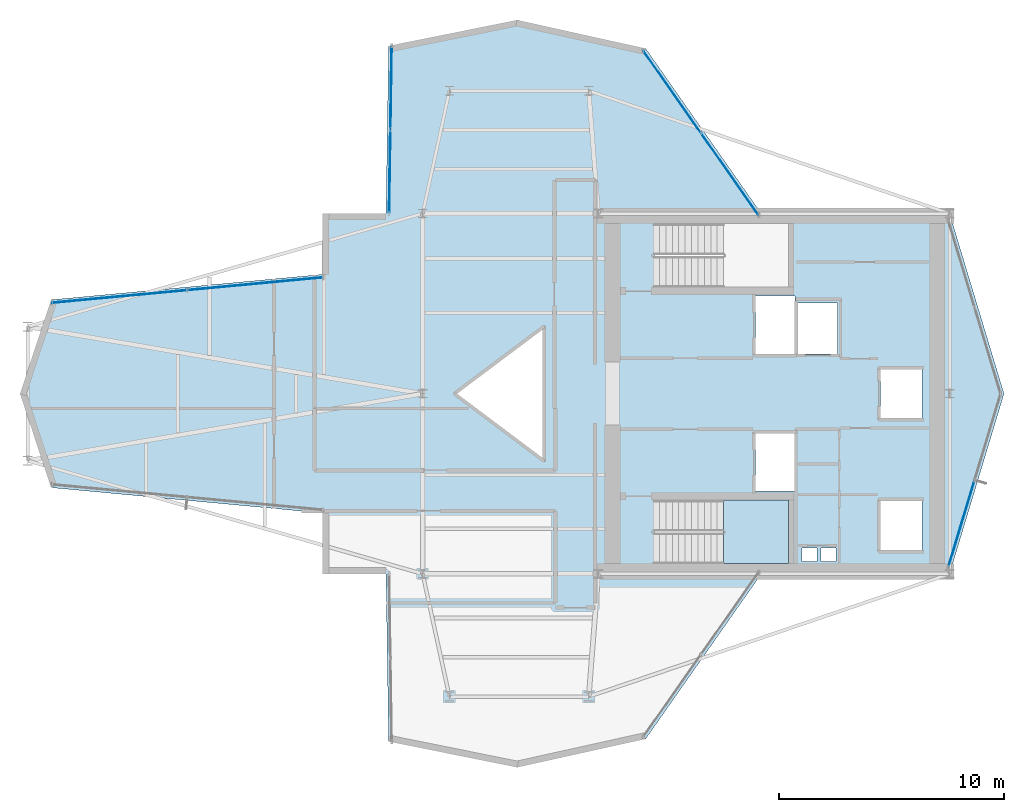
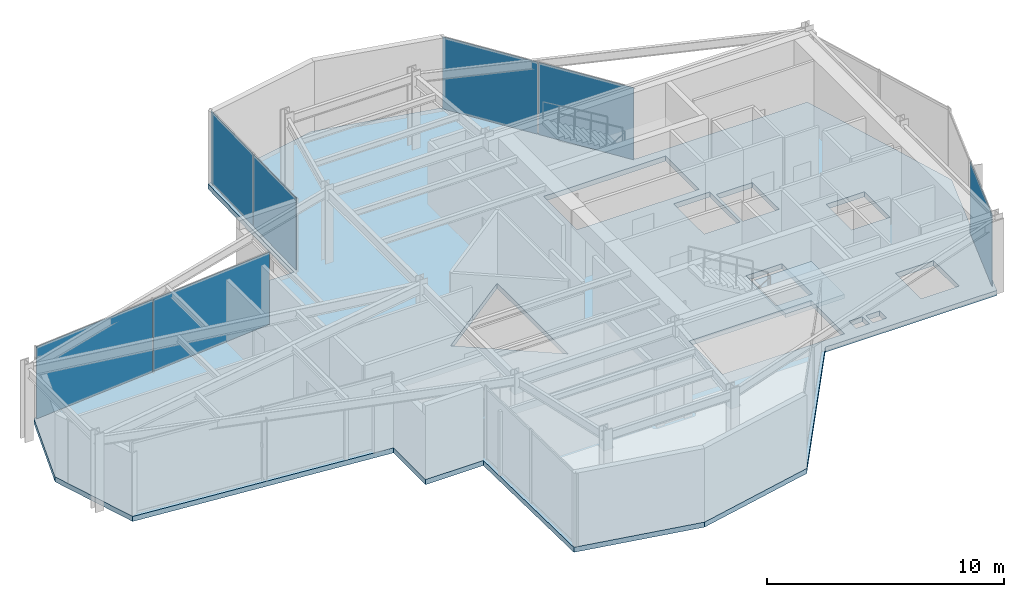
# One storey, part 19 of 24: 7 plates, 2 slabs, 5 elements without a shape of their own.
"""IFC4 building model written with IfcOpenShell, lengths in metres."""

import ifcopenshell
import ifcopenshell.guid

model = None  # the IFC model being written
_history = None  # IfcOwnerHistory: only IFC2X3 demands one
_inside = {}  # id of a spatial element -> (the spatial element, [elements in it])
_under = {}  # id of a project, library or spatial element -> (it, [spatial elements below it])
_declared = {}  # id of a project -> (the project, [libraries it declares])
_typed = {}  # id of a type object -> (the type object, [elements of that type])
_made_of = {}  # id of a material, layer set ... -> (it, [elements and type objects made of it])


def new_model(schema):
    """Start an empty IFC model of exactly this schema.

    Asked for "IFC4X3", IfcOpenShell would pick the latest addendum, in which some entities
    have other attributes; the version numbers below select the first issue.
    IFC2X3 requires an IfcOwnerHistory on every rooted entity: one is made here for all.
    """
    global model, _history
    if schema == "IFC4X3":
        model = ifcopenshell.file(schema_version=(4, 3, 0, 0))
    else:
        model = ifcopenshell.file(schema=schema)
    _inside.clear()
    _under.clear()
    _declared.clear()
    _typed.clear()
    _made_of.clear()
    _history = None
    if model.schema == "IFC2X3":
        org = make("IfcOrganization", Name="unknown")
        user = make(
            "IfcPersonAndOrganization",
            ThePerson=make("IfcPerson", FamilyName="unknown"),
            TheOrganization=org,
        )
        app = make(
            "IfcApplication",
            ApplicationDeveloper=org,
            Version="unknown",
            ApplicationFullName="unknown",
            ApplicationIdentifier="unknown",
        )
        _history = make(
            "IfcOwnerHistory",
            OwningUser=user,
            OwningApplication=app,
            ChangeAction="ADDED",
            CreationDate=0,
        )
    return model


def make(cls, **values):
    """One entity of the class cls with the attributes given. An attribute that is None is left unset."""
    return model.create_entity(
        cls, **{name: value for name, value in values.items() if value is not None}
    )


def rooted(cls, **values):
    """An entity with a GlobalId (a new one), such as an element, a storey or a relation."""
    return make(cls, GlobalId=ifcopenshell.guid.new(), OwnerHistory=_history, **values)


def si_unit(unit_type, name, prefix=None):
    """IfcSIUnit, for example si_unit("LENGTHUNIT", "METRE", prefix="MILLI")."""
    return make("IfcSIUnit", UnitType=unit_type, Prefix=prefix, Name=name)


def assignment(units):
    """IfcUnitAssignment: the units of a project."""
    return None if units is None else make("IfcUnitAssignment", Units=units)


def point(xyz):
    """IfcCartesianPoint."""
    return None if xyz is None else make("IfcCartesianPoint", Coordinates=xyz)


def direction(xyz):
    """IfcDirection."""
    return None if xyz is None else make("IfcDirection", DirectionRatios=xyz)


def frame(location, z_axis=None, x_axis=None):
    """IfcAxis2Placement3D, a coordinate frame: its origin and axes. An axis left out is left unset."""
    return make(
        "IfcAxis2Placement3D",
        Location=point(location),
        Axis=direction(z_axis),
        RefDirection=direction(x_axis),
    )


def frame_2d(location, x_axis=None):
    """IfcAxis2Placement2D, a coordinate frame in the plane: its origin and x axis."""
    return make(
        "IfcAxis2Placement2D", Location=point(location), RefDirection=direction(x_axis)
    )


def origin():
    """The frame at (0, 0, 0) with its axes left unset."""
    return frame((0.0, 0.0, 0.0))


def origin_2d():
    """The frame at (0, 0) in the plane with its x axis left unset."""
    return frame_2d((0.0, 0.0))


def place(relative_to, where):
    """IfcLocalPlacement: puts the frame where relative to a parent placement (None: the world)."""
    return make(
        "IfcLocalPlacement", PlacementRelTo=relative_to, RelativePlacement=where
    )


def context(
    kind, dimensions, precision=None, world=None, true_north=None, identifier=None
):
    """IfcGeometricRepresentationContext, for example the 3D "Model" context."""
    return make(
        "IfcGeometricRepresentationContext",
        ContextIdentifier=identifier,
        ContextType=kind,
        CoordinateSpaceDimension=dimensions,
        Precision=precision,
        WorldCoordinateSystem=world,
        TrueNorth=true_north,
    )


def subcontext(parent, identifier, kind, view, scale=None):
    """IfcGeometricRepresentationSubContext, for example "Body" below "Model"."""
    return make(
        "IfcGeometricRepresentationSubContext",
        ContextIdentifier=identifier,
        ContextType=kind,
        ParentContext=parent,
        TargetScale=scale,
        TargetView=view,
    )


def project(units=None, contexts=None):
    """IfcProject with its units and contexts."""
    return rooted(
        "IfcProject",
        Name="project",
        RepresentationContexts=contexts,
        UnitsInContext=assignment(units),
    )


def spatial(cls, under=None, at=None, **own):
    """A site, building, storey or space (cls), placed at a placement, below another one or the project."""
    s = rooted(cls, ObjectPlacement=at, **own)
    if under is not None:
        _under.setdefault(under.id(), (under, []))[1].append(s)
    return s


def polyline(points):
    """IfcPolyline through the points."""
    return make("IfcPolyline", Points=[point(p) for p in points])


def profile(cls, at=None, kind="AREA", **sizes):
    """A parametric profile (cls). Its sizes go by their IFC names, for example OverallWidth=200.0."""
    return make(cls, ProfileType=kind, Position=at, **sizes)


def rectangle(**sizes):
    """IfcRectangleProfileDef."""
    return profile("IfcRectangleProfileDef", **sizes)


def outline(outer, holes=None, kind="AREA"):
    """IfcArbitraryClosedProfileDef: a profile drawn as a closed curve; with holes, ...WithVoids."""
    if holes is None:
        return make("IfcArbitraryClosedProfileDef", ProfileType=kind, OuterCurve=outer)
    return make(
        "IfcArbitraryProfileDefWithVoids",
        ProfileType=kind,
        OuterCurve=outer,
        InnerCurves=holes,
    )


def extrude(swept, where, along, depth):
    """IfcExtrudedAreaSolid: the profile swept, set in the frame where, extruded along a direction by depth."""
    return make(
        "IfcExtrudedAreaSolid",
        SweptArea=swept,
        Position=where,
        ExtrudedDirection=direction(along),
        Depth=depth,
    )


def shape(context_of_items, identifier, shape_type, items):
    """IfcShapeRepresentation: the items that make up one representation, for example the "Body"."""
    return make(
        "IfcShapeRepresentation",
        ContextOfItems=context_of_items,
        RepresentationIdentifier=identifier,
        RepresentationType=shape_type,
        Items=items,
    )


def material(Name=None, Category=None):
    """IfcMaterial."""
    return make("IfcMaterial", Name=Name, Category=Category)


def layer(
    of_material, thickness, ventilated=None, Name=None, Category=None, Priority=None
):
    """IfcMaterialLayer: one layer of a wall or slab, of a material (None: an air gap)."""
    return make(
        "IfcMaterialLayer",
        Material=of_material,
        LayerThickness=thickness,
        IsVentilated=ventilated,
        Name=Name,
        Category=Category,
        Priority=Priority,
    )


def layer_set(layers, Name=None):
    """IfcMaterialLayerSet."""
    return make("IfcMaterialLayerSet", MaterialLayers=layers, LayerSetName=Name)


def made_of(thing, what):
    """Note that an element or type object is made of a material, layer set ...; save() writes the relation."""
    if what is not None:
        _made_of.setdefault(what.id(), (what, []))[1].append(thing)
    return thing


def type_object(cls, material=None, **own):
    """A type object (cls), such as IfcWallType, which elements share."""
    return made_of(rooted(cls, **own), material)


def element(
    cls,
    number,
    at=None,
    inside=None,
    cuts=None,
    type_object=None,
    material=None,
    context=None,
    identifier="Body",
    shape_type=None,
    held_by="IfcProductDefinitionShape",
    body=None,
    shapes=None,
    **own,
):
    """One element of the class cls, such as IfcWall. Its Tag is "e" and its number.

    at: its placement. inside: the storey or other place that contains it. cuts: it is an
    opening in that element (IfcRelVoidsElement). A single representation is given by context,
    identifier, shape_type and body (its items); several are given by shapes. held_by: the class
    of the entity that holds the representations. save() writes the other relations.
    """
    e = rooted(cls, Tag="e%d" % number, ObjectPlacement=at, **own)
    if body is not None:
        shapes = [shape(context, identifier, shape_type, body)]
    if shapes is not None:
        e.Representation = make(held_by, Representations=shapes)
    if inside is not None:
        _inside.setdefault(inside.id(), (inside, []))[1].append(e)
    if cuts is not None:
        rooted(
            "IfcRelVoidsElement", RelatingBuildingElement=cuts, RelatedOpeningElement=e
        )
    if type_object is not None:
        _typed.setdefault(type_object.id(), (type_object, []))[1].append(e)
    return made_of(e, material)


def aggregate(whole, parts):
    """IfcRelAggregates: a whole, such as a stair, and the parts it consists of."""
    return rooted("IfcRelAggregates", RelatingObject=whole, RelatedObjects=parts)


def save(model, path):
    """Write the relations noted so far, then the file.

    IfcRelAggregates (storeys below a building ...), IfcRelContainedInSpatialStructure (elements
    in a storey), IfcRelDefinesByType, IfcRelAssociatesMaterial and IfcRelDeclares: one each for
    every whole, place, type object, material and project.
    """
    for whole, parts in _under.values():
        aggregate(whole, parts)
    for where, things in _inside.values():
        rooted(
            "IfcRelContainedInSpatialStructure",
            RelatedElements=things,
            RelatingStructure=where,
        )
    for kind, things in _typed.values():
        rooted("IfcRelDefinesByType", RelatedObjects=things, RelatingType=kind)
    for what, things in _made_of.values():
        rooted("IfcRelAssociatesMaterial", RelatedObjects=things, RelatingMaterial=what)
    for by, libraries in _declared.values():
        rooted("IfcRelDeclares", RelatingContext=by, RelatedDefinitions=libraries)
    model.write(path)


model = new_model("IFC4")

# Units and contexts
model_context = context("Model", 3, precision=1e-05, world=origin(), true_north=direction((0.0, 1.0)))
body_context = subcontext(model_context, "Body", "Model", "MODEL_VIEW")
ifc_project = project(units=[si_unit("LENGTHUNIT", "METRE"), si_unit("AREAUNIT", "SQUARE_METRE"), si_unit("VOLUMEUNIT", "CUBIC_METRE"), si_unit("PLANEANGLEUNIT", "RADIAN"), si_unit("MASSUNIT", "GRAM", prefix="KILO")], contexts=[model_context])

# Site, building, storey
site_placement = place(None, origin())
site = spatial("IfcSite", under=ifc_project, at=site_placement, CompositionType="ELEMENT")
building_placement = place(site_placement, origin())
building = spatial("IfcBuilding", under=site, at=building_placement, Name="Veymaron Broadcast Tower", CompositionType="ELEMENT")
storey_placement = place(building_placement, frame((0.0, 0.0, 220.199951171875)))
storey = spatial("IfcBuildingStorey", under=building, at=storey_placement, Name="L51", CompositionType="ELEMENT", Elevation=220.199951171875)

# Curtain wall, plate
ifc_material_1 = material(Name="Anodised aluminium AA 6063-T6 and laminated low-E dark glass", Category="aluminium")
ifc_layer_1 = layer(ifc_material_1, 0.179931640625)
ifc_layer_set_1 = layer_set([ifc_layer_1], Name="Anodised aluminium AA 6063-T6 and laminated low-E dark glass")
curtain_wall_type = type_object("IfcCurtainWallType", Name="CW-SYS-05", PredefinedType="NOTDEFINED", material=ifc_layer_set_1)
curtain_wall_1_placement = place(storey_placement, origin())
curtain_wall_1 = element("IfcCurtainWall", 1, at=curtain_wall_1_placement, inside=storey, type_object=curtain_wall_type, Name="L51 dark-glass curtain wall CW-L51-E2-1", PredefinedType="NOTDEFINED")
ifc_material_2 = material(Name="Double-silver solar-control dark glass IGU 32 mm", Category="glass")
ifc_layer_2 = layer(ifc_material_2, 0.031982421875)
ifc_layer_set_2 = layer_set([ifc_layer_2], Name="Double-silver solar-control dark glass IGU 32 mm")
plate_type = type_object("IfcPlateType", Name="CW-PNL-02", PredefinedType="CURTAIN_PANEL", material=ifc_layer_set_2)
plate_1_placement = place(storey_placement, frame((55.125, 18.22314453125, 0.0400390625), z_axis=(0.0, 0.0, 1.0), x_axis=(0.288998380014, 0.957329586062, 0.0)))
plate_1 = element("IfcPlate", 2, at=plate_1_placement, type_object=plate_type, Name="CW-L51-E2-1 unitised curtain panel 0", PredefinedType="CURTAIN_PANEL", context=body_context, shape_type="SweptSolid", body=[
    extrude(rectangle(XDim=3.9912109375, YDim=0.031982421875, at=origin_2d()), origin(), (0.0, 0.0, 1.0), 3.7099609375),
])
aggregate(curtain_wall_1, [plate_1])

# Curtain wall, plates
curtain_wall_2_placement = place(storey_placement, origin())
curtain_wall_2 = element("IfcCurtainWall", 3, at=curtain_wall_2_placement, inside=storey, type_object=curtain_wall_type, Name="L51 dark-glass curtain wall CW-L51-E5-1", PredefinedType="NOTDEFINED")
plate_2_placement = place(storey_placement, frame((44.84033203125, 33.752197265625, 0.0400390625), z_axis=(0.0, 0.0, 1.0), x_axis=(-0.573905218834, 0.818921729957, 0.0)))
plate_2 = element("IfcPlate", 4, at=plate_2_placement, type_object=plate_type, Name="CW-L51-E5-1 unitised curtain panel 0", PredefinedType="CURTAIN_PANEL", context=body_context, shape_type="SweptSolid", body=[
    extrude(rectangle(XDim=4.415283203125, YDim=0.031982421875, at=origin_2d()), origin(), (0.0, 0.0, 1.0), 3.7099609375),
])
plate_3_placement = place(storey_placement, frame((42.27197265625, 37.417236328125, 0.0400390625), z_axis=(0.0, 0.0, 1.0), x_axis=(-0.573905218834, 0.818921729957, 0.0)))
plate_3 = element("IfcPlate", 5, at=plate_3_placement, type_object=plate_type, Name="CW-L51-E5-1 unitised curtain panel 1", PredefinedType="CURTAIN_PANEL", context=body_context, shape_type="SweptSolid", body=[
    extrude(rectangle(XDim=4.415283203125, YDim=0.031982421875, at=origin_2d()), origin(), (0.0, 0.0, 1.0), 3.7099609375),
])
aggregate(curtain_wall_2, [plate_2, plate_3])

curtain_wall_3_placement = place(storey_placement, origin())
curtain_wall_3 = element("IfcCurtainWall", 6, at=curtain_wall_3_placement, inside=storey, type_object=curtain_wall_type, Name="L51 dark-glass curtain wall CW-L51-E8-1", PredefinedType="NOTDEFINED")
plate_4_placement = place(storey_placement, frame((29.798828125, 37.58154296875, 0.0400390625), z_axis=(0.0, 0.0, 1.0), x_axis=(-0.015480452098, -0.999880170622, 0.0)))
plate_4 = element("IfcPlate", 7, at=plate_4_placement, type_object=plate_type, Name="CW-L51-E8-1 unitised curtain panel 0", PredefinedType="CURTAIN_PANEL", context=body_context, shape_type="SweptSolid", body=[
    extrude(rectangle(XDim=3.662841796875, YDim=0.031982421875, at=origin_2d()), origin(), (0.0, 0.0, 1.0), 3.7099609375),
])
plate_5_placement = place(storey_placement, frame((29.7412109375, 33.85888671875, 0.0400390625), z_axis=(0.0, 0.0, 1.0), x_axis=(-0.015480452098, -0.999880170622, 0.0)))
plate_5 = element("IfcPlate", 8, at=plate_5_placement, type_object=plate_type, Name="CW-L51-E8-1 unitised curtain panel 1", PredefinedType="CURTAIN_PANEL", context=body_context, shape_type="SweptSolid", body=[
    extrude(rectangle(XDim=3.662841796875, YDim=0.031982421875, at=origin_2d()), origin(), (0.0, 0.0, 1.0), 3.7099609375),
])
aggregate(curtain_wall_3, [plate_4, plate_5])

curtain_wall_4_placement = place(storey_placement, origin())
curtain_wall_4 = element("IfcCurtainWall", 9, at=curtain_wall_4_placement, inside=storey, type_object=curtain_wall_type, Name="L51 dark-glass curtain wall CW-L51-E11-1", PredefinedType="NOTDEFINED")
plate_6_placement = place(storey_placement, frame((23.758056640625, 28.878662109375, 0.0400390625), z_axis=(0.0, 0.0, 1.0), x_axis=(-0.995642083019, -0.093256863132, 0.0)))
plate_6 = element("IfcPlate", 10, at=plate_6_placement, type_object=plate_type, Name="CW-L51-E11-1 unitised curtain panel 0", PredefinedType="CURTAIN_PANEL", context=body_context, shape_type="SweptSolid", body=[
    extrude(rectangle(XDim=5.996337890625, YDim=0.031982421875, at=origin_2d()), origin(), (0.0, 0.0, 1.0), 3.7099609375),
])
plate_7_placement = place(storey_placement, frame((17.72802734375, 28.313720703125, 0.0400390625), z_axis=(0.0, 0.0, 1.0), x_axis=(-0.995642083019, -0.093256863132, 0.0)))
plate_7 = element("IfcPlate", 11, at=plate_7_placement, type_object=plate_type, Name="CW-L51-E11-1 unitised curtain panel 1", PredefinedType="CURTAIN_PANEL", context=body_context, shape_type="SweptSolid", body=[
    extrude(rectangle(XDim=5.996337890625, YDim=0.031982421875, at=origin_2d()), origin(), (0.0, 0.0, 1.0), 3.7099609375),
])
aggregate(curtain_wall_4, [plate_6, plate_7])

# Slab
ifc_material_3 = material(Name="Concrete C40/50", Category="concrete")
ifc_layer_3 = layer(ifc_material_3, 0.260009765625)
ifc_layer_set_3 = layer_set([ifc_layer_3], Name="Concrete C40/50")
slab_type_1 = type_object("IfcSlabType", Name="SLAB-FS5", PredefinedType="FLOOR", material=ifc_layer_set_3)
slab_1_placement = place(storey_placement, frame((0.0, 0.0, -0.260009765625)))
element("IfcSlab", 12, at=slab_1_placement, inside=storey, type_object=slab_type_1, Name="L51 structural floor slab", PredefinedType="FLOOR", context=body_context, shape_type="SweptSolid", body=[
    extrude(outline(polyline([(46.2392578125, 16.0), (54.60009765625, 16.0), (57.014892578125, 24.0), (54.60009765625, 32.0), (46.2392578125, 32.0), (41.102294921875, 39.330078125), (35.39501953125, 40.594970703125), (29.687744140625, 39.445068359375), (29.572509765625, 32.0), (26.760009765625, 32.0), (26.760009765625, 29.30029296875), (14.699951171875, 28.170654296875), (13.320068359375, 24.0), (14.699951171875, 19.829345703125), (26.760009765625, 18.69970703125), (26.760009765625, 16.0), (29.572509765625, 16.0), (29.687744140625, 8.554931640625), (35.39501953125, 7.405029296875), (41.102294921875, 8.669921875), (46.2392578125, 16.0)]), holes=[polyline([(45.969970703125, 28.330078125), (47.72998046875, 28.330078125), (47.72998046875, 25.77001953125), (45.969970703125, 25.77001953125), (45.969970703125, 28.330078125)]), polyline([(45.969970703125, 22.22998046875), (47.72998046875, 22.22998046875), (47.72998046875, 19.669921875), (45.969970703125, 19.669921875), (45.969970703125, 22.22998046875)]), polyline([(47.8701171875, 28.030029296875), (49.6298828125, 28.030029296875), (49.6298828125, 25.77001953125), (47.8701171875, 25.77001953125), (47.8701171875, 28.030029296875)]), polyline([(51.52001953125, 25.080078125), (53.3798828125, 25.080078125), (53.3798828125, 22.919921875), (51.52001953125, 22.919921875), (51.52001953125, 25.080078125)]), polyline([(51.52001953125, 19.22998046875), (53.3798828125, 19.22998046875), (53.3798828125, 17.070068359375), (51.52001953125, 17.070068359375), (51.52001953125, 19.22998046875)]), polyline([(48.050048828125, 17.159912109375), (48.719970703125, 17.159912109375), (48.719970703125, 16.56005859375), (48.050048828125, 16.56005859375), (48.050048828125, 17.159912109375)]), polyline([(48.8798828125, 17.159912109375), (49.550048828125, 17.159912109375), (49.550048828125, 16.56005859375), (48.8798828125, 16.56005859375), (48.8798828125, 17.159912109375)]), polyline([(36.60009765625, 27.0), (36.60009765625, 21.0), (32.60009765625, 24.0), (36.60009765625, 27.0)]), polyline([(41.489990234375, 31.550048828125), (47.43994140625, 31.550048828125), (47.43994140625, 28.72998046875), (41.489990234375, 28.72998046875), (41.489990234375, 31.550048828125)]), polyline([(41.489990234375, 19.27001953125), (47.43994140625, 19.27001953125), (47.43994140625, 16.449951171875), (41.489990234375, 16.449951171875), (41.489990234375, 19.27001953125)])]), origin(), (0.0, 0.0, 1.0), 0.260009765625),
])

# Stair, slab
ifc_material_4 = material(Name="Concrete C50/60", Category="concrete")
stair_type = type_object("IfcStairType", Name="STAIR-CORE-2", PredefinedType="HALF_TURN_STAIR", material=ifc_material_4)
stair_placement = place(storey_placement, origin())
stair = element("IfcStair", 13, at=stair_placement, inside=storey, type_object=stair_type, Name="L51 South protected dog-leg exit stair ST2", PredefinedType="HALF_TURN_STAIR")
ifc_layer_4 = layer(ifc_material_4, 0.199951171875)
ifc_layer_set_4 = layer_set([ifc_layer_4], Name="Concrete C50/60")
slab_type_2 = type_object("IfcSlabType", Name="SLAB-STAIR-LDG", PredefinedType="LANDING", material=ifc_layer_set_4)
slab_2_placement = place(storey_placement, frame((0.0, 0.0, 1.824951171875)))
slab_2 = element("IfcSlab", 14, at=slab_2_placement, type_object=slab_type_2, Name="ST2 landing 1", PredefinedType="LANDING", context=body_context, shape_type="SweptSolid", body=[
    extrude(outline(polyline([(44.56494140625, 16.449951171875), (47.43994140625, 16.449951171875), (47.43994140625, 19.27001953125), (44.56494140625, 19.27001953125), (44.56494140625, 16.449951171875)])), origin(), (0.0, 0.0, 1.0), 0.2001953125),
])
aggregate(stair, [slab_2])

save(model, "model.ifc")
